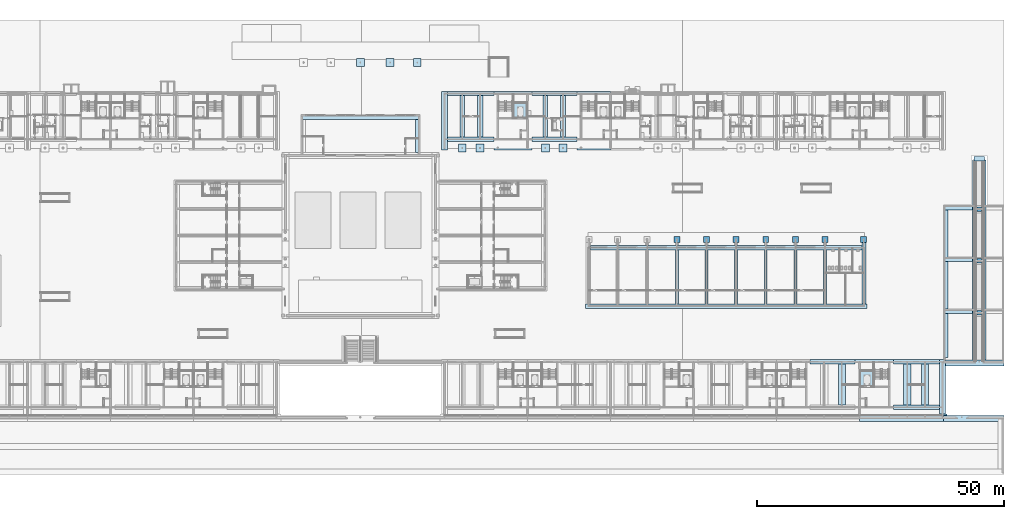
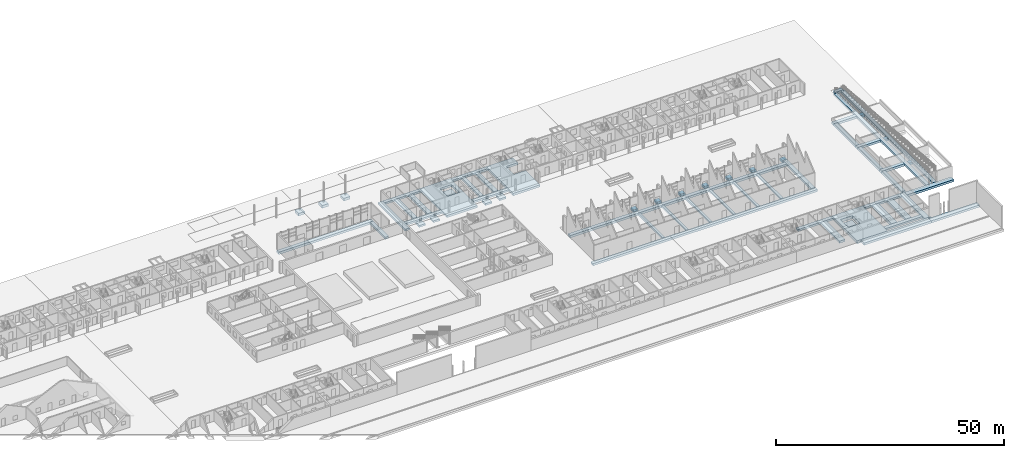
# One storey, part 5 of 112: 61 footings.
"""IFC4 building model written with IfcOpenShell, lengths in metres."""

import ifcopenshell
import ifcopenshell.guid

model = None  # the IFC model being written
_history = None  # IfcOwnerHistory: only IFC2X3 demands one
_inside = {}  # id of a spatial element -> (the spatial element, [elements in it])
_under = {}  # id of a project, library or spatial element -> (it, [spatial elements below it])
_declared = {}  # id of a project -> (the project, [libraries it declares])
_typed = {}  # id of a type object -> (the type object, [elements of that type])
_made_of = {}  # id of a material, layer set ... -> (it, [elements and type objects made of it])


def new_model(schema):
    """Start an empty IFC model of exactly this schema.

    Asked for "IFC4X3", IfcOpenShell would pick the latest addendum, in which some entities
    have other attributes; the version numbers below select the first issue.
    IFC2X3 requires an IfcOwnerHistory on every rooted entity: one is made here for all.
    """
    global model, _history
    if schema == "IFC4X3":
        model = ifcopenshell.file(schema_version=(4, 3, 0, 0))
    else:
        model = ifcopenshell.file(schema=schema)
    _inside.clear()
    _under.clear()
    _declared.clear()
    _typed.clear()
    _made_of.clear()
    _history = None
    if model.schema == "IFC2X3":
        org = make("IfcOrganization", Name="unknown")
        user = make(
            "IfcPersonAndOrganization",
            ThePerson=make("IfcPerson", FamilyName="unknown"),
            TheOrganization=org,
        )
        app = make(
            "IfcApplication",
            ApplicationDeveloper=org,
            Version="unknown",
            ApplicationFullName="unknown",
            ApplicationIdentifier="unknown",
        )
        _history = make(
            "IfcOwnerHistory",
            OwningUser=user,
            OwningApplication=app,
            ChangeAction="ADDED",
            CreationDate=0,
        )
    return model


def make(cls, **values):
    """One entity of the class cls with the attributes given. An attribute that is None is left unset."""
    return model.create_entity(
        cls, **{name: value for name, value in values.items() if value is not None}
    )


def rooted(cls, **values):
    """An entity with a GlobalId (a new one), such as an element, a storey or a relation."""
    return make(cls, GlobalId=ifcopenshell.guid.new(), OwnerHistory=_history, **values)


def si_unit(unit_type, name, prefix=None):
    """IfcSIUnit, for example si_unit("LENGTHUNIT", "METRE", prefix="MILLI")."""
    return make("IfcSIUnit", UnitType=unit_type, Prefix=prefix, Name=name)


def assignment(units):
    """IfcUnitAssignment: the units of a project."""
    return None if units is None else make("IfcUnitAssignment", Units=units)


def point(xyz):
    """IfcCartesianPoint."""
    return None if xyz is None else make("IfcCartesianPoint", Coordinates=xyz)


def direction(xyz):
    """IfcDirection."""
    return None if xyz is None else make("IfcDirection", DirectionRatios=xyz)


def frame(location, z_axis=None, x_axis=None):
    """IfcAxis2Placement3D, a coordinate frame: its origin and axes. An axis left out is left unset."""
    return make(
        "IfcAxis2Placement3D",
        Location=point(location),
        Axis=direction(z_axis),
        RefDirection=direction(x_axis),
    )


def origin():
    """The frame at (0, 0, 0) with its axes left unset."""
    return frame((0.0, 0.0, 0.0))


def place(relative_to, where):
    """IfcLocalPlacement: puts the frame where relative to a parent placement (None: the world)."""
    return make(
        "IfcLocalPlacement", PlacementRelTo=relative_to, RelativePlacement=where
    )


def context(
    kind, dimensions, precision=None, world=None, true_north=None, identifier=None
):
    """IfcGeometricRepresentationContext, for example the 3D "Model" context."""
    return make(
        "IfcGeometricRepresentationContext",
        ContextIdentifier=identifier,
        ContextType=kind,
        CoordinateSpaceDimension=dimensions,
        Precision=precision,
        WorldCoordinateSystem=world,
        TrueNorth=true_north,
    )


def subcontext(parent, identifier, kind, view, scale=None):
    """IfcGeometricRepresentationSubContext, for example "Body" below "Model"."""
    return make(
        "IfcGeometricRepresentationSubContext",
        ContextIdentifier=identifier,
        ContextType=kind,
        ParentContext=parent,
        TargetScale=scale,
        TargetView=view,
    )


def project(units=None, contexts=None):
    """IfcProject with its units and contexts."""
    return rooted(
        "IfcProject",
        Name="project",
        RepresentationContexts=contexts,
        UnitsInContext=assignment(units),
    )


def spatial(cls, under=None, at=None, **own):
    """A site, building, storey or space (cls), placed at a placement, below another one or the project."""
    s = rooted(cls, ObjectPlacement=at, **own)
    if under is not None:
        _under.setdefault(under.id(), (under, []))[1].append(s)
    return s


def polyline(points):
    """IfcPolyline through the points."""
    return make("IfcPolyline", Points=[point(p) for p in points])


def outline(outer, holes=None, kind="AREA"):
    """IfcArbitraryClosedProfileDef: a profile drawn as a closed curve; with holes, ...WithVoids."""
    if holes is None:
        return make("IfcArbitraryClosedProfileDef", ProfileType=kind, OuterCurve=outer)
    return make(
        "IfcArbitraryProfileDefWithVoids",
        ProfileType=kind,
        OuterCurve=outer,
        InnerCurves=holes,
    )


def extrude(swept, where, along, depth):
    """IfcExtrudedAreaSolid: the profile swept, set in the frame where, extruded along a direction by depth."""
    return make(
        "IfcExtrudedAreaSolid",
        SweptArea=swept,
        Position=where,
        ExtrudedDirection=direction(along),
        Depth=depth,
    )


def shape(context_of_items, identifier, shape_type, items):
    """IfcShapeRepresentation: the items that make up one representation, for example the "Body"."""
    return make(
        "IfcShapeRepresentation",
        ContextOfItems=context_of_items,
        RepresentationIdentifier=identifier,
        RepresentationType=shape_type,
        Items=items,
    )


def material(Name=None, Category=None):
    """IfcMaterial."""
    return make("IfcMaterial", Name=Name, Category=Category)


def made_of(thing, what):
    """Note that an element or type object is made of a material, layer set ...; save() writes the relation."""
    if what is not None:
        _made_of.setdefault(what.id(), (what, []))[1].append(thing)
    return thing


def type_object(cls, material=None, **own):
    """A type object (cls), such as IfcWallType, which elements share."""
    return made_of(rooted(cls, **own), material)


def element(
    cls,
    number,
    at=None,
    inside=None,
    cuts=None,
    type_object=None,
    material=None,
    context=None,
    identifier="Body",
    shape_type=None,
    held_by="IfcProductDefinitionShape",
    body=None,
    shapes=None,
    **own,
):
    """One element of the class cls, such as IfcWall. Its Tag is "e" and its number.

    at: its placement. inside: the storey or other place that contains it. cuts: it is an
    opening in that element (IfcRelVoidsElement). A single representation is given by context,
    identifier, shape_type and body (its items); several are given by shapes. held_by: the class
    of the entity that holds the representations. save() writes the other relations.
    """
    e = rooted(cls, Tag="e%d" % number, ObjectPlacement=at, **own)
    if body is not None:
        shapes = [shape(context, identifier, shape_type, body)]
    if shapes is not None:
        e.Representation = make(held_by, Representations=shapes)
    if inside is not None:
        _inside.setdefault(inside.id(), (inside, []))[1].append(e)
    if cuts is not None:
        rooted(
            "IfcRelVoidsElement", RelatingBuildingElement=cuts, RelatedOpeningElement=e
        )
    if type_object is not None:
        _typed.setdefault(type_object.id(), (type_object, []))[1].append(e)
    return made_of(e, material)


def aggregate(whole, parts):
    """IfcRelAggregates: a whole, such as a stair, and the parts it consists of."""
    return rooted("IfcRelAggregates", RelatingObject=whole, RelatedObjects=parts)


def save(model, path):
    """Write the relations noted so far, then the file.

    IfcRelAggregates (storeys below a building ...), IfcRelContainedInSpatialStructure (elements
    in a storey), IfcRelDefinesByType, IfcRelAssociatesMaterial and IfcRelDeclares: one each for
    every whole, place, type object, material and project.
    """
    for whole, parts in _under.values():
        aggregate(whole, parts)
    for where, things in _inside.values():
        rooted(
            "IfcRelContainedInSpatialStructure",
            RelatedElements=things,
            RelatingStructure=where,
        )
    for kind, things in _typed.values():
        rooted("IfcRelDefinesByType", RelatedObjects=things, RelatingType=kind)
    for what, things in _made_of.values():
        rooted("IfcRelAssociatesMaterial", RelatedObjects=things, RelatingMaterial=what)
    for by, libraries in _declared.values():
        rooted("IfcRelDeclares", RelatingContext=by, RelatedDefinitions=libraries)
    model.write(path)


model = new_model("IFC4")

# Units and contexts
model_context = context("Model", 3, precision=1e-05, world=origin(), true_north=direction((0.0, 1.0)))
body_context = subcontext(model_context, "Body", "Model", "MODEL_VIEW")
ifc_project = project(units=[si_unit("LENGTHUNIT", "METRE"), si_unit("AREAUNIT", "SQUARE_METRE"), si_unit("VOLUMEUNIT", "CUBIC_METRE"), si_unit("PLANEANGLEUNIT", "RADIAN"), si_unit("MASSUNIT", "GRAM", prefix="KILO")], contexts=[model_context])

# Site, building, storey
site_placement = place(None, origin())
site = spatial("IfcSite", under=ifc_project, at=site_placement, CompositionType="ELEMENT")
building_placement = place(site_placement, origin())
building = spatial("IfcBuilding", under=site, at=building_placement, Name="Ridgestep Commons", CompositionType="ELEMENT")
storey_placement = place(building_placement, origin())
storey = spatial("IfcBuildingStorey", under=building, at=storey_placement, Name="L00", CompositionType="ELEMENT", Elevation=0.0)

# Footings
ifc_material_1 = material(Name="Concrete C30/37", Category="concrete")
footing_type_1 = type_object("IfcFootingType", Name="Community pad footing 1200 x 1200", PredefinedType="PAD_FOOTING", material=ifc_material_1)
footing_1_placement = place(storey_placement, frame((0.0, 0.0, -0.85009765625)))
element("IfcFooting", 1, at=footing_1_placement, inside=storey, type_object=footing_type_1, Name="Pad footing 1200 x 1200", PredefinedType="PAD_FOOTING", context=body_context, shape_type="SweptSolid", body=[
    extrude(outline(polyline([(193.199951171875, 47.0), (194.39990234375, 47.0), (194.39990234375, 48.199951171875), (193.199951171875, 48.199951171875), (193.199951171875, 47.0)])), origin(), (0.0, 0.0, 1.0), 0.60009765625),
])
footing_2_placement = place(storey_placement, frame((0.0, 0.0, -0.85009765625)))
element("IfcFooting", 2, at=footing_2_placement, inside=storey, type_object=footing_type_1, Name="Pad footing 1200 x 1200", PredefinedType="PAD_FOOTING", context=body_context, shape_type="SweptSolid", body=[
    extrude(outline(polyline([(199.199951171875, 47.0), (200.39990234375, 47.0), (200.39990234375, 48.199951171875), (199.199951171875, 48.199951171875), (199.199951171875, 47.0)])), origin(), (0.0, 0.0, 1.0), 0.60009765625),
])
footing_3_placement = place(storey_placement, frame((0.0, 0.0, -0.85009765625)))
element("IfcFooting", 3, at=footing_3_placement, inside=storey, type_object=footing_type_1, Name="Pad footing 1200 x 1200", PredefinedType="PAD_FOOTING", context=body_context, shape_type="SweptSolid", body=[
    extrude(outline(polyline([(205.199951171875, 47.0), (206.39990234375, 47.0), (206.39990234375, 48.199951171875), (205.199951171875, 48.199951171875), (205.199951171875, 47.0)])), origin(), (0.0, 0.0, 1.0), 0.60009765625),
])
footing_4_placement = place(storey_placement, frame((0.0, 0.0, -0.85009765625)))
element("IfcFooting", 4, at=footing_4_placement, inside=storey, type_object=footing_type_1, Name="Pad footing 1200 x 1200", PredefinedType="PAD_FOOTING", context=body_context, shape_type="SweptSolid", body=[
    extrude(outline(polyline([(211.199951171875, 47.0), (212.39990234375, 47.0), (212.39990234375, 48.199951171875), (211.199951171875, 48.199951171875), (211.199951171875, 47.0)])), origin(), (0.0, 0.0, 1.0), 0.60009765625),
])
footing_5_placement = place(storey_placement, frame((0.0, 0.0, -0.85009765625)))
element("IfcFooting", 5, at=footing_5_placement, inside=storey, type_object=footing_type_1, Name="Pad footing 1200 x 1200", PredefinedType="PAD_FOOTING", context=body_context, shape_type="SweptSolid", body=[
    extrude(outline(polyline([(217.199951171875, 47.0), (218.39990234375, 47.0), (218.39990234375, 48.199951171875), (217.199951171875, 48.199951171875), (217.199951171875, 47.0)])), origin(), (0.0, 0.0, 1.0), 0.60009765625),
])
footing_6_placement = place(storey_placement, frame((0.0, 0.0, -0.85009765625)))
element("IfcFooting", 6, at=footing_6_placement, inside=storey, type_object=footing_type_1, Name="Pad footing 1200 x 1200", PredefinedType="PAD_FOOTING", context=body_context, shape_type="SweptSolid", body=[
    extrude(outline(polyline([(223.199951171875, 47.0), (224.39990234375, 47.0), (224.39990234375, 48.199951171875), (223.199951171875, 48.199951171875), (223.199951171875, 47.0)])), origin(), (0.0, 0.0, 1.0), 0.60009765625),
])
footing_7_placement = place(storey_placement, frame((0.0, 0.0, -0.85009765625)))
element("IfcFooting", 7, at=footing_7_placement, inside=storey, type_object=footing_type_1, Name="Pad footing 1200 x 1200", PredefinedType="PAD_FOOTING", context=body_context, shape_type="SweptSolid", body=[
    extrude(outline(polyline([(231.0, 47.0), (232.199951171875, 47.0), (232.199951171875, 48.199951171875), (231.0, 48.199951171875), (231.0, 47.0)])), origin(), (0.0, 0.0, 1.0), 0.60009765625),
])
ifc_material_2 = material(Name="Concrete C30/37", Category="concrete")
footing_type_2 = type_object("IfcFootingType", Name="Community pad footing 1600 x 1600", PredefinedType="PAD_FOOTING", material=ifc_material_2)
footing_8_placement = place(storey_placement, frame((0.0, 0.0, -0.949951171875)))
element("IfcFooting", 8, at=footing_8_placement, inside=storey, type_object=footing_type_2, Name="Pad footing 1600 x 1600", PredefinedType="PAD_FOOTING", context=body_context, shape_type="SweptSolid", body=[
    extrude(outline(polyline([(129.0, 82.60009765625), (130.60009765625, 82.60009765625), (130.60009765625, 84.199951171875), (129.0, 84.199951171875), (129.0, 82.60009765625)])), origin(), (0.0, 0.0, 1.0), 0.699951171875),
])
footing_9_placement = place(storey_placement, frame((0.0, 0.0, -0.949951171875)))
element("IfcFooting", 9, at=footing_9_placement, inside=storey, type_object=footing_type_2, Name="Pad footing 1600 x 1600", PredefinedType="PAD_FOOTING", context=body_context, shape_type="SweptSolid", body=[
    extrude(outline(polyline([(135.0, 82.60009765625), (136.60009765625, 82.60009765625), (136.60009765625, 84.199951171875), (135.0, 84.199951171875), (135.0, 82.60009765625)])), origin(), (0.0, 0.0, 1.0), 0.699951171875),
])
footing_10_placement = place(storey_placement, frame((0.0, 0.0, -0.949951171875)))
element("IfcFooting", 10, at=footing_10_placement, inside=storey, type_object=footing_type_2, Name="Pad footing 1600 x 1600", PredefinedType="PAD_FOOTING", context=body_context, shape_type="SweptSolid", body=[
    extrude(outline(polyline([(140.5, 82.60009765625), (142.10009765625, 82.60009765625), (142.10009765625, 84.199951171875), (140.5, 84.199951171875), (140.5, 82.60009765625)])), origin(), (0.0, 0.0, 1.0), 0.699951171875),
])
ifc_material_3 = material(Name="Concrete C30/37", Category="concrete")
footing_type_3 = type_object("IfcFootingType", Name="Community strip footing 1200 x 600", PredefinedType="STRIP_FOOTING", material=ifc_material_3)
footing_11_placement = place(storey_placement, frame((0.0, 0.0, -0.85009765625)))
element("IfcFooting", 11, at=footing_11_placement, inside=storey, type_object=footing_type_3, Name="Strip footing 1200 x 600", PredefinedType="STRIP_FOOTING", context=body_context, shape_type="SweptSolid", body=[
    extrude(outline(polyline([(247.800048828125, 22.0), (259.998046875, 22.0), (259.998046875, 23.199951171875), (247.800048828125, 23.199951171875), (247.800048828125, 22.0)])), origin(), (0.0, 0.0, 1.0), 0.60009765625),
])
footing_12_placement = place(storey_placement, frame((0.0, 0.0, -0.85009765625)))
element("IfcFooting", 12, at=footing_12_placement, inside=storey, type_object=footing_type_3, Name="Strip footing 1200 x 600", PredefinedType="STRIP_FOOTING", context=body_context, shape_type="SweptSolid", body=[
    extrude(outline(polyline([(247.800048828125, 10.75), (259.998046875, 10.75), (259.998046875, 11.949951171875), (247.800048828125, 11.949951171875), (247.800048828125, 10.75)])), origin(), (0.0, 0.0, 1.0), 0.60009765625),
])
ifc_material_4 = material(Name="Concrete C30/37", Category="concrete")
footing_type_4 = type_object("IfcFootingType", Name="Community strip footing 600 x 450", PredefinedType="STRIP_FOOTING", material=ifc_material_4)
footing_13_placement = place(storey_placement, frame((0.0, 0.0, -0.699951171875)))
element("IfcFooting", 13, at=footing_13_placement, inside=storey, type_object=footing_type_4, Name="Community strip footing 600 x 450", PredefinedType="STRIP_FOOTING", context=body_context, shape_type="SweptSolid", body=[
    extrude(outline(polyline([(193.5, 34.574951171875), (194.10009765625, 34.574951171875), (194.10009765625, 45.449951171875), (193.5, 45.449951171875), (193.5, 34.574951171875)])), origin(), (0.0, 0.0, 1.0), 0.449951171875),
])
footing_14_placement = place(storey_placement, frame((0.0, 0.0, -0.699951171875)))
element("IfcFooting", 14, at=footing_14_placement, inside=storey, type_object=footing_type_4, Name="Community strip footing 600 x 450", PredefinedType="STRIP_FOOTING", context=body_context, shape_type="SweptSolid", body=[
    extrude(outline(polyline([(199.5, 34.574951171875), (200.10009765625, 34.574951171875), (200.10009765625, 45.449951171875), (199.5, 45.449951171875), (199.5, 34.574951171875)])), origin(), (0.0, 0.0, 1.0), 0.449951171875),
])
footing_15_placement = place(storey_placement, frame((0.0, 0.0, -0.699951171875)))
element("IfcFooting", 15, at=footing_15_placement, inside=storey, type_object=footing_type_4, Name="Community strip footing 600 x 450", PredefinedType="STRIP_FOOTING", context=body_context, shape_type="SweptSolid", body=[
    extrude(outline(polyline([(205.5, 34.574951171875), (206.10009765625, 34.574951171875), (206.10009765625, 45.449951171875), (205.5, 45.449951171875), (205.5, 34.574951171875)])), origin(), (0.0, 0.0, 1.0), 0.449951171875),
])
footing_16_placement = place(storey_placement, frame((0.0, 0.0, -0.699951171875)))
element("IfcFooting", 16, at=footing_16_placement, inside=storey, type_object=footing_type_4, Name="Community strip footing 600 x 450", PredefinedType="STRIP_FOOTING", context=body_context, shape_type="SweptSolid", body=[
    extrude(outline(polyline([(211.5, 34.574951171875), (212.10009765625, 34.574951171875), (212.10009765625, 45.449951171875), (211.5, 45.449951171875), (211.5, 34.574951171875)])), origin(), (0.0, 0.0, 1.0), 0.449951171875),
])
footing_17_placement = place(storey_placement, frame((0.0, 0.0, -0.699951171875)))
element("IfcFooting", 17, at=footing_17_placement, inside=storey, type_object=footing_type_4, Name="Community strip footing 600 x 450", PredefinedType="STRIP_FOOTING", context=body_context, shape_type="SweptSolid", body=[
    extrude(outline(polyline([(217.5, 34.574951171875), (218.10009765625, 34.574951171875), (218.10009765625, 45.449951171875), (217.5, 45.449951171875), (217.5, 34.574951171875)])), origin(), (0.0, 0.0, 1.0), 0.449951171875),
])
footing_18_placement = place(storey_placement, frame((0.0, 0.0, -0.699951171875)))
element("IfcFooting", 18, at=footing_18_placement, inside=storey, type_object=footing_type_4, Name="Community strip footing 600 x 450", PredefinedType="STRIP_FOOTING", context=body_context, shape_type="SweptSolid", body=[
    extrude(outline(polyline([(223.5, 34.574951171875), (224.10009765625, 34.574951171875), (224.10009765625, 45.449951171875), (223.5, 45.449951171875), (223.5, 34.574951171875)])), origin(), (0.0, 0.0, 1.0), 0.449951171875),
])
ifc_material_5 = material(Name="Concrete C30/37", Category="concrete")
footing_type_5 = type_object("IfcFootingType", Name="Community strip footing 900 x 600", PredefinedType="STRIP_FOOTING", material=ifc_material_5)
footing_19_placement = place(storey_placement, frame((0.0, 0.0, -0.85009765625)))
element("IfcFooting", 19, at=footing_19_placement, inside=storey, type_object=footing_type_5, Name="Community strip footing 900 x 600", PredefinedType="STRIP_FOOTING", context=body_context, shape_type="SweptSolid", body=[
    extrude(outline(polyline([(140.89990234375, 65.199951171875), (141.800048828125, 65.199951171875), (141.800048828125, 71.89990234375), (140.89990234375, 71.89990234375), (140.89990234375, 65.199951171875)])), origin(), (0.0, 0.0, 1.0), 0.60009765625),
])
footing_20_placement = place(storey_placement, frame((0.0, 0.0, -0.85009765625)))
element("IfcFooting", 20, at=footing_20_placement, inside=storey, type_object=footing_type_5, Name="Community strip footing 900 x 600", PredefinedType="STRIP_FOOTING", context=body_context, shape_type="SweptSolid", body=[
    extrude(outline(polyline([(117.800048828125, 71.89990234375), (141.800048828125, 71.89990234375), (141.800048828125, 72.800048828125), (117.800048828125, 72.800048828125), (117.800048828125, 71.89990234375)])), origin(), (0.0, 0.0, 1.0), 0.60009765625),
])
footing_21_placement = place(storey_placement, frame((0.0, 0.0, -0.85009765625)))
element("IfcFooting", 21, at=footing_21_placement, inside=storey, type_object=footing_type_5, Name="Community strip footing 900 x 600", PredefinedType="STRIP_FOOTING", context=body_context, shape_type="SweptSolid", body=[
    extrude(outline(polyline([(175.35009765625, 33.675048828125), (232.25, 33.675048828125), (232.25, 34.574951171875), (175.35009765625, 34.574951171875), (175.35009765625, 33.675048828125)])), origin(), (0.0, 0.0, 1.0), 0.60009765625),
])
footing_22_placement = place(storey_placement, frame((0.0, 0.0, -0.85009765625)))
element("IfcFooting", 22, at=footing_22_placement, inside=storey, type_object=footing_type_5, Name="Community strip footing 900 x 600", PredefinedType="STRIP_FOOTING", context=body_context, shape_type="SweptSolid", body=[
    extrude(outline(polyline([(176.375, 45.449951171875), (231.22509765625, 45.449951171875), (231.22509765625, 46.35009765625), (176.375, 46.35009765625), (176.375, 45.449951171875)])), origin(), (0.0, 0.0, 1.0), 0.60009765625),
])
footing_23_placement = place(storey_placement, frame((0.0, 0.0, -0.85009765625)))
element("IfcFooting", 23, at=footing_23_placement, inside=storey, type_object=footing_type_5, Name="Community strip footing 900 x 600", PredefinedType="STRIP_FOOTING", context=body_context, shape_type="SweptSolid", body=[
    extrude(outline(polyline([(231.22509765625, 34.574951171875), (232.125, 34.574951171875), (232.125, 47.0), (231.22509765625, 47.0), (231.22509765625, 34.574951171875)])), origin(), (0.0, 0.0, 1.0), 0.60009765625),
])
footing_24_placement = place(storey_placement, frame((0.0, 0.0, -0.85009765625)))
element("IfcFooting", 24, at=footing_24_placement, inside=storey, type_object=footing_type_5, Name="Strip footing 900 x 600", PredefinedType="STRIP_FOOTING", context=body_context, shape_type="SweptSolid", body=[
    extrude(outline(polyline([(255.449951171875, 22.800048828125), (256.35009765625, 22.800048828125), (256.35009765625, 63.699951171875), (255.449951171875, 63.699951171875), (255.449951171875, 22.800048828125)])), origin(), (0.0, 0.0, 1.0), 0.60009765625),
])
footing_25_placement = place(storey_placement, frame((0.0, 0.0, -0.85009765625)))
element("IfcFooting", 25, at=footing_25_placement, inside=storey, type_object=footing_type_5, Name="Strip footing 900 x 600", PredefinedType="STRIP_FOOTING", context=body_context, shape_type="SweptSolid", body=[
    extrude(outline(polyline([(253.64990234375, 22.800048828125), (254.550048828125, 22.800048828125), (254.550048828125, 63.699951171875), (253.64990234375, 63.699951171875), (253.64990234375, 22.800048828125)])), origin(), (0.0, 0.0, 1.0), 0.60009765625),
])
footing_26_placement = place(storey_placement, frame((0.0, 0.0, -0.60009765625)))
element("IfcFooting", 26, at=footing_26_placement, inside=storey, type_object=footing_type_5, Name="Ramp foot footing", PredefinedType="STRIP_FOOTING", context=body_context, shape_type="SweptSolid", body=[
    extrude(outline(polyline([(253.949951171875, 63.49951171875), (256.050048828125, 63.49951171875), (256.050048828125, 64.39990234375), (253.949951171875, 64.39990234375), (253.949951171875, 63.49951171875)])), origin(), (0.0, 0.0, 1.0), 0.60009765625),
])
footing_27_placement = place(storey_placement, frame((0.0, 0.0, -0.85009765625)))
element("IfcFooting", 27, at=footing_27_placement, inside=storey, type_object=footing_type_5, Name="Strip footing 900 x 600", PredefinedType="STRIP_FOOTING", context=body_context, shape_type="SweptSolid", body=[
    extrude(outline(polyline([(254.550048828125, 53.300048828125), (255.449951171875, 53.300048828125), (255.449951171875, 54.199951171875), (254.550048828125, 54.199951171875), (254.550048828125, 53.300048828125)])), origin(), (0.0, 0.0, 1.0), 0.60009765625),
])
footing_28_placement = place(storey_placement, frame((0.0, 0.0, -0.85009765625)))
element("IfcFooting", 28, at=footing_28_placement, inside=storey, type_object=footing_type_5, Name="Strip footing 900 x 600", PredefinedType="STRIP_FOOTING", context=body_context, shape_type="SweptSolid", body=[
    extrude(outline(polyline([(254.550048828125, 42.800048828125), (255.449951171875, 42.800048828125), (255.449951171875, 43.699951171875), (254.550048828125, 43.699951171875), (254.550048828125, 42.800048828125)])), origin(), (0.0, 0.0, 1.0), 0.60009765625),
])
footing_29_placement = place(storey_placement, frame((0.0, 0.0, -0.85009765625)))
element("IfcFooting", 29, at=footing_29_placement, inside=storey, type_object=footing_type_5, Name="Strip footing 900 x 600", PredefinedType="STRIP_FOOTING", context=body_context, shape_type="SweptSolid", body=[
    extrude(outline(polyline([(254.550048828125, 32.300048828125), (255.449951171875, 32.300048828125), (255.449951171875, 33.199951171875), (254.550048828125, 33.199951171875), (254.550048828125, 32.300048828125)])), origin(), (0.0, 0.0, 1.0), 0.60009765625),
])
footing_30_placement = place(storey_placement, frame((0.0, 0.0, -0.85009765625)))
element("IfcFooting", 30, at=footing_30_placement, inside=storey, type_object=footing_type_5, Name="Strip footing 900 x 600", PredefinedType="STRIP_FOOTING", context=body_context, shape_type="SweptSolid", body=[
    extrude(outline(polyline([(247.800048828125, 44.0), (248.699951171875, 44.0), (248.699951171875, 53.60009765625), (247.800048828125, 53.60009765625), (247.800048828125, 44.0)])), origin(), (0.0, 0.0, 1.0), 0.60009765625),
])
footing_31_placement = place(storey_placement, frame((0.0, 0.0, -0.85009765625)))
element("IfcFooting", 31, at=footing_31_placement, inside=storey, type_object=footing_type_5, Name="Strip footing 900 x 600", PredefinedType="STRIP_FOOTING", context=body_context, shape_type="SweptSolid", body=[
    extrude(outline(polyline([(247.800048828125, 53.60009765625), (253.64990234375, 53.60009765625), (253.64990234375, 54.5), (247.800048828125, 54.5), (247.800048828125, 53.60009765625)])), origin(), (0.0, 0.0, 1.0), 0.60009765625),
])
footing_32_placement = place(storey_placement, frame((0.0, 0.0, -0.85009765625)))
element("IfcFooting", 32, at=footing_32_placement, inside=storey, type_object=footing_type_5, Name="Strip footing 900 x 600", PredefinedType="STRIP_FOOTING", context=body_context, shape_type="SweptSolid", body=[
    extrude(outline(polyline([(247.800048828125, 33.5), (248.699951171875, 33.5), (248.699951171875, 43.10009765625), (247.800048828125, 43.10009765625), (247.800048828125, 33.5)])), origin(), (0.0, 0.0, 1.0), 0.60009765625),
])
footing_33_placement = place(storey_placement, frame((0.0, 0.0, -0.85009765625)))
element("IfcFooting", 33, at=footing_33_placement, inside=storey, type_object=footing_type_5, Name="Strip footing 900 x 600", PredefinedType="STRIP_FOOTING", context=body_context, shape_type="SweptSolid", body=[
    extrude(outline(polyline([(247.800048828125, 43.10009765625), (253.64990234375, 43.10009765625), (253.64990234375, 44.0), (247.800048828125, 44.0), (247.800048828125, 43.10009765625)])), origin(), (0.0, 0.0, 1.0), 0.60009765625),
])
footing_34_placement = place(storey_placement, frame((0.0, 0.0, -0.85009765625)))
element("IfcFooting", 34, at=footing_34_placement, inside=storey, type_object=footing_type_5, Name="Strip footing 900 x 600", PredefinedType="STRIP_FOOTING", context=body_context, shape_type="SweptSolid", body=[
    extrude(outline(polyline([(247.800048828125, 23.699951171875), (248.699951171875, 23.699951171875), (248.699951171875, 32.60009765625), (247.800048828125, 32.60009765625), (247.800048828125, 23.699951171875)])), origin(), (0.0, 0.0, 1.0), 0.60009765625),
])
footing_35_placement = place(storey_placement, frame((0.0, 0.0, -0.85009765625)))
element("IfcFooting", 35, at=footing_35_placement, inside=storey, type_object=footing_type_5, Name="Strip footing 900 x 600", PredefinedType="STRIP_FOOTING", context=body_context, shape_type="SweptSolid", body=[
    extrude(outline(polyline([(247.800048828125, 32.60009765625), (253.64990234375, 32.60009765625), (253.64990234375, 33.5), (247.800048828125, 33.5), (247.800048828125, 32.60009765625)])), origin(), (0.0, 0.0, 1.0), 0.60009765625),
])
ifc_material_6 = material(Name="Concrete C30/37", Category="concrete")
footing_type_6 = type_object("IfcFootingType", Name="Core footing 6800 x 11925 x 600", PredefinedType="PAD_FOOTING", material=ifc_material_6)
footing_36_placement = place(storey_placement, frame((0.0, 0.0, -0.85009765625)))
element("IfcFooting", 36, at=footing_36_placement, inside=storey, type_object=footing_type_6, Name="Core footing C2C", PredefinedType="PAD_FOOTING", context=body_context, shape_type="SweptSolid", body=[
    extrude(outline(polyline([(180.39990234375, 65.64990234375), (180.39990234375, 72.0), (177.425048828125, 72.0), (177.425048828125, 75.39990234375), (180.39990234375, 75.39990234375), (180.39990234375, 77.574951171875), (173.60009765625, 77.574951171875), (173.60009765625, 65.64990234375), (180.39990234375, 65.64990234375)])), origin(), (0.0, 0.0, 1.0), 0.60009765625),
])
ifc_material_7 = material(Name="Concrete C30/37", Category="concrete")
footing_type_7 = type_object("IfcFootingType", Name="Core footing 7700 x 11075 x 800", PredefinedType="PAD_FOOTING", material=ifc_material_7)
footing_37_placement = place(storey_placement, frame((0.0, 0.0, -1.050048828125)))
element("IfcFooting", 37, at=footing_37_placement, inside=storey, type_object=footing_type_7, Name="Core footing D6C", PredefinedType="PAD_FOOTING", context=body_context, shape_type="SweptSolid", body=[
    extrude(outline(polyline([(229.89990234375, 12.25), (237.60009765625, 12.25), (237.60009765625, 23.324951171875), (229.89990234375, 23.324951171875), (229.89990234375, 12.25)]), holes=[polyline([(233.77490234375, 21.14990234375), (233.77490234375, 17.75), (230.800048828125, 17.75), (230.800048828125, 21.14990234375), (233.77490234375, 21.14990234375)])]), origin(), (0.0, 0.0, 1.0), 0.800048828125),
])
ifc_material_8 = material(Name="Concrete C30/37", Category="concrete")
footing_type_8 = type_object("IfcFootingType", Name="Core footing 7700 x 11925 x 600", PredefinedType="PAD_FOOTING", material=ifc_material_8)
footing_38_placement = place(storey_placement, frame((0.0, 0.0, -0.85009765625)))
element("IfcFooting", 38, at=footing_38_placement, inside=storey, type_object=footing_type_8, Name="Core footing C1C", PredefinedType="PAD_FOOTING", context=body_context, shape_type="SweptSolid", body=[
    extrude(outline(polyline([(156.800048828125, 65.64990234375), (164.5, 65.64990234375), (164.5, 77.574951171875), (156.800048828125, 77.574951171875), (156.800048828125, 65.64990234375)]), holes=[polyline([(163.60009765625, 75.39990234375), (163.60009765625, 72.0), (160.625, 72.0), (160.625, 75.39990234375), (163.60009765625, 75.39990234375)])]), origin(), (0.0, 0.0, 1.0), 0.60009765625),
])
ifc_material_9 = material(Name="Concrete C30/37", Category="concrete")
footing_type_9 = type_object("IfcFootingType", Name="Lift pit footing 2975 x 3400 x 400", PredefinedType="PAD_FOOTING", material=ifc_material_9)
footing_39_placement = place(storey_placement, frame((0.0, 0.0, -1.800048828125)))
element("IfcFooting", 39, at=footing_39_placement, inside=storey, type_object=footing_type_9, Name="Lift pit footing C1C", PredefinedType="PAD_FOOTING", context=body_context, shape_type="SweptSolid", body=[
    extrude(outline(polyline([(163.60009765625, 72.0), (163.60009765625, 75.39990234375), (160.625, 75.39990234375), (160.625, 72.0), (163.60009765625, 72.0)])), origin(), (0.0, 0.0, 1.0), 0.400146484375),
])
footing_40_placement = place(storey_placement, frame((0.0, 0.0, -1.800048828125)))
element("IfcFooting", 40, at=footing_40_placement, inside=storey, type_object=footing_type_9, Name="Lift pit footing D6C", PredefinedType="PAD_FOOTING", context=body_context, shape_type="SweptSolid", body=[
    extrude(outline(polyline([(233.77490234375, 17.75), (233.77490234375, 21.14990234375), (230.800048828125, 21.14990234375), (230.800048828125, 17.75), (233.77490234375, 17.75)])), origin(), (0.0, 0.0, 1.0), 0.400146484375),
])
ifc_material_10 = material(Name="Concrete C30/37", Category="concrete")
footing_type_10 = type_object("IfcFootingType", Name="Pad footing 1600 x 1600 x 500", PredefinedType="PAD_FOOTING", material=ifc_material_10)
footing_41_placement = place(storey_placement, frame((0.0, 0.0, -0.75)))
element("IfcFooting", 41, at=footing_41_placement, inside=storey, type_object=footing_type_10, Name="Pad footing C 1504", PredefinedType="PAD_FOOTING", context=body_context, shape_type="SweptSolid", body=[
    extrude(outline(polyline([(151.199951171875, 65.324951171875), (151.199951171875, 66.925048828125), (149.60009765625, 66.925048828125), (149.60009765625, 65.324951171875), (151.199951171875, 65.324951171875)])), origin(), (0.0, 0.0, 1.0), 0.5),
])
footing_42_placement = place(storey_placement, frame((0.0, 0.0, -0.75)))
element("IfcFooting", 42, at=footing_42_placement, inside=storey, type_object=footing_type_10, Name="Pad footing C 1540", PredefinedType="PAD_FOOTING", context=body_context, shape_type="SweptSolid", body=[
    extrude(outline(polyline([(154.800048828125, 65.324951171875), (154.800048828125, 66.925048828125), (153.199951171875, 66.925048828125), (153.199951171875, 65.324951171875), (154.800048828125, 65.324951171875)])), origin(), (0.0, 0.0, 1.0), 0.5),
])
footing_43_placement = place(storey_placement, frame((0.0, 0.0, -0.75)))
element("IfcFooting", 43, at=footing_43_placement, inside=storey, type_object=footing_type_10, Name="Pad footing C 1672", PredefinedType="PAD_FOOTING", context=body_context, shape_type="SweptSolid", body=[
    extrude(outline(polyline([(168.0, 65.324951171875), (168.0, 66.925048828125), (166.39990234375, 66.925048828125), (166.39990234375, 65.324951171875), (168.0, 65.324951171875)])), origin(), (0.0, 0.0, 1.0), 0.5),
])
footing_44_placement = place(storey_placement, frame((0.0, 0.0, -0.75)))
element("IfcFooting", 44, at=footing_44_placement, inside=storey, type_object=footing_type_10, Name="Pad footing C 1708", PredefinedType="PAD_FOOTING", context=body_context, shape_type="SweptSolid", body=[
    extrude(outline(polyline([(171.60009765625, 65.324951171875), (171.60009765625, 66.925048828125), (170.0, 66.925048828125), (170.0, 65.324951171875), (171.60009765625, 65.324951171875)])), origin(), (0.0, 0.0, 1.0), 0.5),
])
ifc_material_11 = material(Name="Concrete C30/37", Category="concrete")
footing_type_11 = type_object("IfcFootingType", Name="Strip footing 1000 x 500", PredefinedType="STRIP_FOOTING", material=ifc_material_11)
footing_45_placement = place(storey_placement, frame((0.0, 0.0, -0.75)))
element("IfcFooting", 45, at=footing_45_placement, inside=storey, type_object=footing_type_11, Name="Strip footing C line 1504", PredefinedType="STRIP_FOOTING", context=body_context, shape_type="SweptSolid", body=[
    extrude(outline(polyline([(150.89990234375, 68.35009765625), (150.89990234375, 76.675048828125), (149.89990234375, 76.675048828125), (149.89990234375, 68.35009765625), (150.89990234375, 68.35009765625)])), origin(), (0.0, 0.0, 1.0), 0.5),
])
footing_46_placement = place(storey_placement, frame((0.0, 0.0, -0.75)))
element("IfcFooting", 46, at=footing_46_placement, inside=storey, type_object=footing_type_11, Name="Strip footing C line 1708", PredefinedType="STRIP_FOOTING", context=body_context, shape_type="SweptSolid", body=[
    extrude(outline(polyline([(171.300048828125, 68.35009765625), (171.300048828125, 76.675048828125), (170.300048828125, 76.675048828125), (170.300048828125, 68.35009765625), (171.300048828125, 68.35009765625)])), origin(), (0.0, 0.0, 1.0), 0.5),
])
ifc_material_12 = material(Name="Concrete C30/37", Category="concrete")
footing_type_12 = type_object("IfcFootingType", Name="Strip footing 1100 x 500", PredefinedType="STRIP_FOOTING", material=ifc_material_12)
footing_47_placement = place(storey_placement, frame((0.0, 0.0, -0.75)))
element("IfcFooting", 47, at=footing_47_placement, inside=storey, type_object=footing_type_12, Name="Strip footing C line 1540", PredefinedType="STRIP_FOOTING", context=body_context, shape_type="SweptSolid", body=[
    extrude(outline(polyline([(154.550048828125, 68.35009765625), (154.550048828125, 76.675048828125), (153.449951171875, 76.675048828125), (153.449951171875, 68.35009765625), (154.550048828125, 68.35009765625)])), origin(), (0.0, 0.0, 1.0), 0.5),
])
ifc_material_13 = material(Name="Concrete C30/37", Category="concrete")
footing_type_13 = type_object("IfcFootingType", Name="Strip footing 1200 x 500", PredefinedType="STRIP_FOOTING", material=ifc_material_13)
footing_48_placement = place(storey_placement, frame((0.0, 0.0, -0.75)))
element("IfcFooting", 48, at=footing_48_placement, inside=storey, type_object=footing_type_13, Name="Strip footing C line 1468", PredefinedType="STRIP_FOOTING", context=body_context, shape_type="SweptSolid", body=[
    extrude(outline(polyline([(147.39990234375, 65.64990234375), (147.39990234375, 77.574951171875), (146.199951171875, 77.574951171875), (146.199951171875, 65.64990234375), (147.39990234375, 65.64990234375)])), origin(), (0.0, 0.0, 1.0), 0.5),
])
footing_49_placement = place(storey_placement, frame((0.0, 0.0, -0.75)))
element("IfcFooting", 49, at=footing_49_placement, inside=storey, type_object=footing_type_13, Name="Strip footing D line 2476", PredefinedType="STRIP_FOOTING", context=body_context, shape_type="SweptSolid", body=[
    extrude(outline(polyline([(248.199951171875, 12.25), (248.199951171875, 23.324951171875), (247.0, 23.324951171875), (247.0, 12.25), (248.199951171875, 12.25)])), origin(), (0.0, 0.0, 1.0), 0.5),
])
ifc_material_14 = material(Name="Concrete C30/37", Category="concrete")
footing_type_14 = type_object("IfcFootingType", Name="Strip footing 1400 x 600", PredefinedType="STRIP_FOOTING", material=ifc_material_14)
footing_50_placement = place(storey_placement, frame((0.0, 0.0, -0.85009765625)))
element("IfcFooting", 50, at=footing_50_placement, inside=storey, type_object=footing_type_14, Name="Strip footing D line 2272", PredefinedType="STRIP_FOOTING", context=body_context, shape_type="SweptSolid", body=[
    extrude(outline(polyline([(227.89990234375, 14.10009765625), (227.89990234375, 22.425048828125), (226.5, 22.425048828125), (226.5, 14.10009765625), (227.89990234375, 14.10009765625)])), origin(), (0.0, 0.0, 1.0), 0.60009765625),
])
footing_51_placement = place(storey_placement, frame((0.0, 0.0, -0.85009765625)))
element("IfcFooting", 51, at=footing_51_placement, inside=storey, type_object=footing_type_14, Name="Strip footing D line 2440", PredefinedType="STRIP_FOOTING", context=body_context, shape_type="SweptSolid", body=[
    extrude(outline(polyline([(244.699951171875, 14.10009765625), (244.699951171875, 22.425048828125), (243.300048828125, 22.425048828125), (243.300048828125, 14.10009765625), (244.699951171875, 14.10009765625)])), origin(), (0.0, 0.0, 1.0), 0.60009765625),
])
ifc_material_15 = material(Name="Concrete C30/37", Category="concrete")
footing_type_15 = type_object("IfcFootingType", Name="Strip footing 1500 x 600", PredefinedType="STRIP_FOOTING", material=ifc_material_15)
footing_52_placement = place(storey_placement, frame((0.0, 0.0, -0.85009765625)))
element("IfcFooting", 52, at=footing_52_placement, inside=storey, type_object=footing_type_15, Name="Retaining wall strip footing D south 6", PredefinedType="STRIP_FOOTING", context=body_context, shape_type="SweptSolid", body=[
    extrude(outline(polyline([(248.5, 10.75), (248.5, 12.25), (230.800048828125, 12.25), (230.800048828125, 10.75), (248.5, 10.75)])), origin(), (0.0, 0.0, 1.0), 0.60009765625),
])
ifc_material_16 = material(Name="Concrete C30/37", Category="concrete")
footing_type_16 = type_object("IfcFootingType", Name="Strip footing 1500 x 700", PredefinedType="STRIP_FOOTING", material=ifc_material_16)
footing_53_placement = place(storey_placement, frame((0.0, 0.0, -0.949951171875)))
element("IfcFooting", 53, at=footing_53_placement, inside=storey, type_object=footing_type_16, Name="Strip footing D line 2404", PredefinedType="STRIP_FOOTING", context=body_context, shape_type="SweptSolid", body=[
    extrude(outline(polyline([(241.14990234375, 14.10009765625), (241.14990234375, 22.425048828125), (239.64990234375, 22.425048828125), (239.64990234375, 14.10009765625), (241.14990234375, 14.10009765625)])), origin(), (0.0, 0.0, 1.0), 0.699951171875),
])
ifc_material_17 = material(Name="Concrete C30/37", Category="concrete")
footing_type_17 = type_object("IfcFootingType", Name="Strip footing 900 x 500", PredefinedType="STRIP_FOOTING", material=ifc_material_17)
footing_54_placement = place(storey_placement, frame((0.0, 0.0, -0.75)))
element("IfcFooting", 54, at=footing_54_placement, inside=storey, type_object=footing_type_17, Name="Strip footing C line 1672", PredefinedType="STRIP_FOOTING", context=body_context, shape_type="SweptSolid", body=[
    extrude(outline(polyline([(167.64990234375, 68.35009765625), (167.64990234375, 76.675048828125), (166.75, 76.675048828125), (166.75, 68.35009765625), (167.64990234375, 68.35009765625)])), origin(), (0.0, 0.0, 1.0), 0.5),
])
footing_55_placement = place(storey_placement, frame((0.0, 0.0, -0.75)))
element("IfcFooting", 55, at=footing_55_placement, inside=storey, type_object=footing_type_17, Name="Facade strip footing C N01", PredefinedType="STRIP_FOOTING", context=body_context, shape_type="SweptSolid", body=[
    extrude(outline(polyline([(156.800048828125, 76.675048828125), (156.800048828125, 77.574951171875), (147.39990234375, 77.574951171875), (147.39990234375, 76.675048828125), (156.800048828125, 76.675048828125)])), origin(), (0.0, 0.0, 1.0), 0.5),
])
footing_56_placement = place(storey_placement, frame((0.0, 0.0, -0.75)))
element("IfcFooting", 56, at=footing_56_placement, inside=storey, type_object=footing_type_17, Name="Facade strip footing C N02", PredefinedType="STRIP_FOOTING", context=body_context, shape_type="SweptSolid", body=[
    extrude(outline(polyline([(173.60009765625, 76.675048828125), (173.60009765625, 77.574951171875), (164.5, 77.574951171875), (164.5, 76.675048828125), (173.60009765625, 76.675048828125)])), origin(), (0.0, 0.0, 1.0), 0.5),
])
footing_57_placement = place(storey_placement, frame((0.0, 0.0, -0.75)))
element("IfcFooting", 57, at=footing_57_placement, inside=storey, type_object=footing_type_17, Name="Facade strip footing C S01", PredefinedType="STRIP_FOOTING", context=body_context, shape_type="SweptSolid", body=[
    extrude(outline(polyline([(156.800048828125, 67.449951171875), (156.800048828125, 68.35009765625), (147.39990234375, 68.35009765625), (147.39990234375, 67.449951171875), (156.800048828125, 67.449951171875)])), origin(), (0.0, 0.0, 1.0), 0.5),
])
footing_58_placement = place(storey_placement, frame((0.0, 0.0, -0.75)))
element("IfcFooting", 58, at=footing_58_placement, inside=storey, type_object=footing_type_17, Name="Facade strip footing C S02", PredefinedType="STRIP_FOOTING", context=body_context, shape_type="SweptSolid", body=[
    extrude(outline(polyline([(173.60009765625, 67.449951171875), (173.60009765625, 68.35009765625), (164.5, 68.35009765625), (164.5, 67.449951171875), (173.60009765625, 67.449951171875)])), origin(), (0.0, 0.0, 1.0), 0.5),
])
footing_59_placement = place(storey_placement, frame((0.0, 0.0, -0.75)))
element("IfcFooting", 59, at=footing_59_placement, inside=storey, type_object=footing_type_17, Name="Facade strip footing D N05", PredefinedType="STRIP_FOOTING", context=body_context, shape_type="SweptSolid", body=[
    extrude(outline(polyline([(229.89990234375, 22.425048828125), (229.89990234375, 23.324951171875), (220.800048828125, 23.324951171875), (220.800048828125, 22.425048828125), (229.89990234375, 22.425048828125)])), origin(), (0.0, 0.0, 1.0), 0.5),
])
footing_60_placement = place(storey_placement, frame((0.0, 0.0, -0.75)))
element("IfcFooting", 60, at=footing_60_placement, inside=storey, type_object=footing_type_17, Name="Facade strip footing D N06", PredefinedType="STRIP_FOOTING", context=body_context, shape_type="SweptSolid", body=[
    extrude(outline(polyline([(247.0, 22.425048828125), (247.0, 23.324951171875), (237.60009765625, 23.324951171875), (237.60009765625, 22.425048828125), (247.0, 22.425048828125)])), origin(), (0.0, 0.0, 1.0), 0.5),
])
footing_61_placement = place(storey_placement, frame((0.0, 0.0, -0.75)))
element("IfcFooting", 61, at=footing_61_placement, inside=storey, type_object=footing_type_17, Name="Facade strip footing D S06", PredefinedType="STRIP_FOOTING", context=body_context, shape_type="SweptSolid", body=[
    extrude(outline(polyline([(247.0, 13.199951171875), (247.0, 14.10009765625), (237.60009765625, 14.10009765625), (237.60009765625, 13.199951171875), (247.0, 13.199951171875)])), origin(), (0.0, 0.0, 1.0), 0.5),
])

save(model, "model.ifc")
